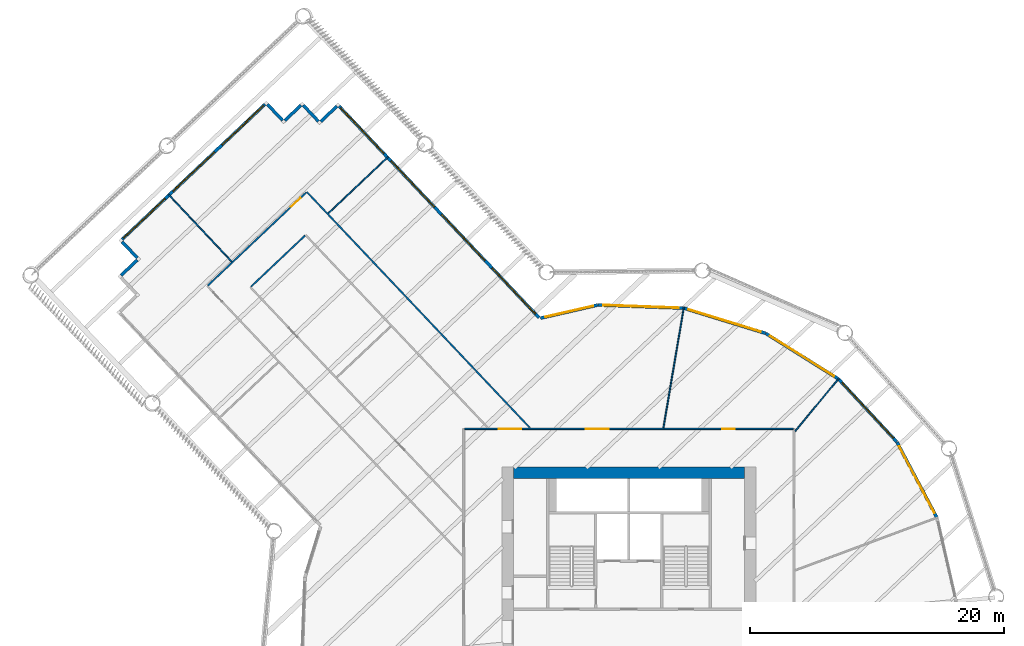
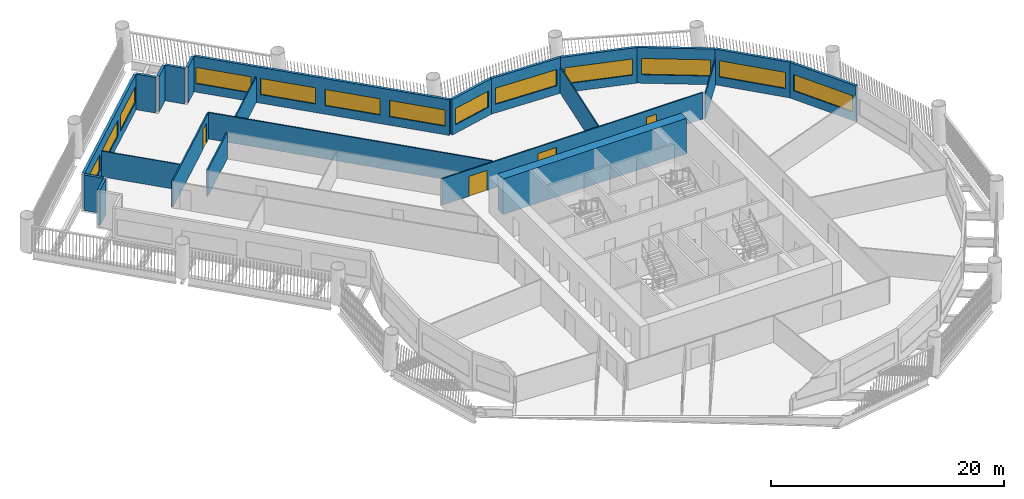
# One storey, part 7 of 15: 23 walls, 13 windows, 4 doors, 17 openings.
"""IFC4 building model written with IfcOpenShell, lengths in metres."""

from ifc_helpers import new_model, si_unit, direction, frame, frame_2d, origin, place, context, subcontext, project, spatial, rectangle, extrude, material, layer, layer_set, type_object, element, fill, save


model = new_model("IFC4")

# Units and contexts
model_context = context("Model", 3, precision=1e-05, world=origin(), true_north=direction((0.0, 1.0)))
body_context = subcontext(model_context, "Body", "Model", "MODEL_VIEW")
ifc_project = project(units=[si_unit("LENGTHUNIT", "METRE"), si_unit("AREAUNIT", "SQUARE_METRE"), si_unit("VOLUMEUNIT", "CUBIC_METRE"), si_unit("PLANEANGLEUNIT", "RADIAN"), si_unit("MASSUNIT", "GRAM", prefix="KILO")], contexts=[model_context])

# Site, building, storey
site_placement = place(None, origin())
site = spatial("IfcSite", under=ifc_project, at=site_placement, CompositionType="ELEMENT")
building_placement = place(site_placement, origin())
building = spatial("IfcBuilding", under=site, at=building_placement, Name="Tarsis Ring Headquarters", CompositionType="ELEMENT")
storey_placement = place(building_placement, frame((0.0, 0.0, 67.300048828125)))
storey = spatial("IfcBuildingStorey", under=building, at=storey_placement, Name="L14", CompositionType="ELEMENT", Elevation=67.300048828125)

# Walls
ifc_material_1 = material(Name="Concrete C60/75", Category="concrete")
ifc_layer_1 = layer(ifc_material_1, 0.89990234375)
ifc_layer_set_1 = layer_set([ifc_layer_1], Name="Core wall 900 C60/75")
wall_type_1 = type_object("IfcWallType", Name="Core wall 900 C60/75", PredefinedType="SHEAR", material=ifc_layer_set_1)
wall_1_placement = place(storey_placement, frame((-9.10009765625, 12.550048828125, 0.0), z_axis=(0.0, 0.0, 1.0), x_axis=(1.0, 0.0, 0.0)))
element("IfcWall", 1, at=wall_1_placement, inside=storey, type_object=wall_type_1, Name="Core wall ON", PredefinedType="SHEAR", context=body_context, shape_type="SweptSolid", body=[
    extrude(rectangle(XDim=18.2001953125, YDim=0.89990234375, at=frame_2d((9.10009765625, 0.0))), origin(), (0.0, 0.0, 1.0), 3.739990234375),
])
ifc_material_2 = material(Name="Gypsum board on steel studs", Category="steel")
ifc_layer_2 = layer(ifc_material_2, 0.10009765625)
ifc_layer_set_2 = layer_set([ifc_layer_2], Name="FL partition 100 unrated")
wall_type_2 = type_object("IfcWallType", Name="FL partition 100 unrated", PredefinedType="PARTITIONING", material=ifc_layer_set_2)
wall_2_placement = place(storey_placement, frame((2.718017578125, 16.069091796875, 0.0), z_axis=(0.0, 0.0, 1.0), x_axis=(0.166765603112, 0.985996568766, 0.0)))
element("IfcWall", 2, at=wall_2_placement, inside=storey, type_object=wall_type_2, Name="Partition PW3", PredefinedType="PARTITIONING", context=body_context, shape_type="SweptSolid", body=[
    extrude(rectangle(XDim=9.650634765625, YDim=0.10009765625, at=frame_2d((4.8251953125, 0.0))), origin(), (0.0, 0.0, 1.0), 2.699951171875),
])
wall_3_placement = place(storey_placement, frame((-36.260009765625, 34.4580078125, 0.0), z_axis=(0.0, 0.0, 1.0), x_axis=(0.687078345416, -0.726583338139, 0.0)))
element("IfcWall", 3, at=wall_3_placement, inside=storey, type_object=wall_type_2, Name="Partition PW3", PredefinedType="PARTITIONING", context=body_context, shape_type="SweptSolid", body=[
    extrude(rectangle(XDim=7.280029296875, YDim=0.10009765625, at=frame_2d((3.64013671875, 0.0))), origin(), (0.0, 0.0, 1.0), 2.699951171875),
])
wall_4_placement = place(storey_placement, frame((-23.66064453125, 32.967041015625, 0.0), z_axis=(0.0, 0.0, 1.0), x_axis=(0.726562311221, 0.687100580638, 0.0)))
element("IfcWall", 4, at=wall_4_placement, inside=storey, type_object=wall_type_2, Name="Partition PW3", PredefinedType="PARTITIONING", context=body_context, shape_type="SweptSolid", body=[
    extrude(rectangle(XDim=6.489990234375, YDim=0.10009765625, at=frame_2d((3.2451171875, 0.0))), origin(), (0.0, 0.0, 1.0), 2.699951171875),
])
wall_5_placement = place(storey_placement, frame((13.089111328125, 15.822265625, 0.0), z_axis=(0.0, 0.0, 1.0), x_axis=(0.637447714663, 0.770493615205, 0.0)))
element("IfcWall", 5, at=wall_5_placement, inside=storey, type_object=wall_type_2, Name="Partition PW3", PredefinedType="PARTITIONING", context=body_context, shape_type="SweptSolid", body=[
    extrude(rectangle(XDim=5.413330078125, YDim=0.10009765625, at=frame_2d((2.70654296875, 0.0))), origin(), (0.0, 0.0, 1.0), 2.699951171875),
])

# Wall, openings, doors
ifc_layer_3 = layer(ifc_material_2, 0.125)
ifc_layer_set_3 = layer_set([ifc_layer_3], Name="FL partition 125 EI 60 H2770")
wall_type_3 = type_object("IfcWallType", Name="FL partition 125 EI 60 H2770", PredefinedType="PARTITIONING", material=ifc_layer_set_3)
wall_6_placement = place(storey_placement, frame((-12.93994140625, 16.0, 0.0), z_axis=(0.0, 0.0, 1.0), x_axis=(1.0, 0.0, 0.0)))
wall_6 = element("IfcWall", 6, at=wall_6_placement, inside=storey, type_object=wall_type_3, Name="Partition PW1", PredefinedType="PARTITIONING", context=body_context, shape_type="SweptSolid", body=[
    extrude(rectangle(XDim=25.8798828125, YDim=0.125, at=frame_2d((12.93994140625, 0.0))), origin(), (0.0, 0.0, 1.0), 2.77001953125),
])
opening_1_placement = place(wall_6_placement, frame((9.537109375, 0.0, 0.0)))
opening_1 = element("IfcOpeningElement", 7, at=opening_1_placement, cuts=wall_6, Name="Opening D14.03", PredefinedType="OPENING", context=body_context, shape_type="SweptSolid", body=[
    extrude(rectangle(XDim=1.800048828125, YDim=2.10009765625, at=frame_2d((0.89990234375, 1.050048828125))), frame((0.0, 0.072509765625, 0.0), z_axis=(0.0, -1.0, 0.0), x_axis=(1.0, 0.0, 0.0)), (0.0, 0.0, 1.0), 0.14501953125),
])
opening_2_placement = place(wall_6_placement, frame((20.293212890625, 0.0, 0.0)))
opening_2 = element("IfcOpeningElement", 8, at=opening_2_placement, cuts=wall_6, Name="Opening D14.04", PredefinedType="OPENING", context=body_context, shape_type="SweptSolid", body=[
    extrude(rectangle(XDim=1.0, YDim=2.10009765625, at=frame_2d((0.5, 1.050048828125))), frame((0.0, 0.072509765625, 0.0), z_axis=(0.0, -1.0, 0.0), x_axis=(1.0, 0.0, 0.0)), (0.0, 0.0, 1.0), 0.14501953125),
])
opening_3_placement = place(wall_6_placement, frame((2.67626953125, 0.0, 0.0)))
opening_3 = element("IfcOpeningElement", 9, at=opening_3_placement, cuts=wall_6, Name="Opening D14.22", PredefinedType="OPENING", context=body_context, shape_type="SweptSolid", body=[
    extrude(rectangle(XDim=1.800048828125, YDim=2.10009765625, at=frame_2d((0.89990234375, 1.050048828125))), frame((0.0, 0.072509765625, 0.0), z_axis=(0.0, -1.0, 0.0), x_axis=(1.0, 0.0, 0.0)), (0.0, 0.0, 1.0), 0.14501953125),
])
ifc_material_3 = material(Name="Fire-rated timber door leaf in steel frame", Category="steel")
door_type_1 = type_object("IfcDoorType", Name="FL door FD60-1000", OperationType="NOTDEFINED", PredefinedType="DOOR", material=ifc_material_3)
door_1_placement = place(opening_2_placement, origin())
door_1 = element("IfcDoor", 10, at=door_1_placement, inside=storey, type_object=door_type_1, Name="Door D14.04", OperationType="SINGLE_SWING_RIGHT", OverallHeight=2.10009765625, OverallWidth=1.0, PredefinedType="DOOR", context=body_context, shape_type="SweptSolid", body=[
    extrude(rectangle(XDim=1.0, YDim=2.10009765625, at=frame_2d((0.5, 1.050048828125))), frame((0.0, 0.02490234375, 0.0), z_axis=(0.0, -1.0, 0.0), x_axis=(1.0, 0.0, 0.0)), (0.0, 0.0, 1.0), 0.050048828125),
])
fill(opening_2, door_1)
door_type_2 = type_object("IfcDoorType", Name="FL door FD60-1800", OperationType="DOUBLE_DOOR_SINGLE_SWING", PredefinedType="DOOR", material=ifc_material_3)
door_2_placement = place(opening_1_placement, origin())
door_2 = element("IfcDoor", 11, at=door_2_placement, inside=storey, type_object=door_type_2, Name="Door D14.03", OperationType="DOUBLE_DOOR_SINGLE_SWING", OverallHeight=2.10009765625, OverallWidth=1.800048828125, PredefinedType="DOOR", context=body_context, shape_type="SweptSolid", body=[
    extrude(rectangle(XDim=1.800048828125, YDim=2.10009765625, at=frame_2d((0.89990234375, 1.050048828125))), frame((0.0, 0.02490234375, 0.0), z_axis=(0.0, -1.0, 0.0), x_axis=(1.0, 0.0, 0.0)), (0.0, 0.0, 1.0), 0.050048828125),
])
fill(opening_1, door_2)
door_3_placement = place(opening_3_placement, origin())
door_3 = element("IfcDoor", 12, at=door_3_placement, inside=storey, type_object=door_type_2, Name="Door D14.22", OperationType="DOUBLE_DOOR_SINGLE_SWING", OverallHeight=2.10009765625, OverallWidth=1.800048828125, PredefinedType="DOOR", context=body_context, shape_type="SweptSolid", body=[
    extrude(rectangle(XDim=1.800048828125, YDim=2.10009765625, at=frame_2d((0.89990234375, 1.050048828125))), frame((0.0, 0.02490234375, 0.0), z_axis=(0.0, -1.0, 0.0), x_axis=(1.0, 0.0, 0.0)), (0.0, 0.0, 1.0), 0.050048828125),
])
fill(opening_3, door_3)

# Wall
wall_7_placement = place(storey_placement, frame((-25.353759765625, 34.655517578125, 0.0), z_axis=(0.0, 0.0, 1.0), x_axis=(0.687086429638, -0.726575693377, 0.0)))
element("IfcWall", 13, at=wall_7_placement, inside=storey, type_object=wall_type_3, Name="Partition PW1", PredefinedType="PARTITIONING", context=body_context, shape_type="SweptSolid", body=[
    extrude(rectangle(XDim=25.5458984375, YDim=0.125, at=frame_2d((12.77294921875, 0.0))), origin(), (0.0, 0.0, 1.0), 2.77001953125),
])

# Wall, opening, door
wall_8_placement = place(storey_placement, frame((-33.142578125, 27.289794921875, 0.0), z_axis=(0.0, 0.0, 1.0), x_axis=(0.726572854684, 0.687089431469, 0.0)))
wall_8 = element("IfcWall", 14, at=wall_8_placement, inside=storey, type_object=wall_type_3, Name="Partition PW1", PredefinedType="PARTITIONING", context=body_context, shape_type="SweptSolid", body=[
    extrude(rectangle(XDim=10.66015625, YDim=0.125, at=frame_2d((5.330078125, 0.0))), origin(), (0.0, 0.0, 1.0), 2.77001953125),
])
opening_4_placement = place(wall_8_placement, frame((9.02001953125, 0.0, 0.0)))
opening_4 = element("IfcOpeningElement", 15, at=opening_4_placement, cuts=wall_8, Name="Opening D14.02", PredefinedType="OPENING", context=body_context, shape_type="SweptSolid", body=[
    extrude(rectangle(XDim=1.0, YDim=2.10009765625, at=frame_2d((0.5, 1.050048828125))), frame((0.0, 0.072509765625, 0.0), z_axis=(0.0, -1.0, 0.0), x_axis=(1.0, 0.0, 0.0)), (0.0, 0.0, 1.0), 0.14501953125),
])
door_4_placement = place(opening_4_placement, origin())
door_4 = element("IfcDoor", 16, at=door_4_placement, inside=storey, type_object=door_type_1, Name="Door D14.02", OperationType="SINGLE_SWING_RIGHT", OverallHeight=2.10009765625, OverallWidth=1.0, PredefinedType="DOOR", context=body_context, shape_type="SweptSolid", body=[
    extrude(rectangle(XDim=1.0, YDim=2.10009765625, at=frame_2d((0.5, 1.050048828125))), frame((0.0, 0.02490234375, 0.0), z_axis=(0.0, -1.0, 0.0), x_axis=(1.0, 0.0, 0.0)), (0.0, 0.0, 1.0), 0.050048828125),
])
fill(opening_4, door_4)

# Wall
wall_9_placement = place(storey_placement, frame((-29.749755859375, 27.195068359375, 0.0), z_axis=(0.0, 0.0, 1.0), x_axis=(0.726558915787, 0.687104171062, 0.0)))
element("IfcWall", 17, at=wall_9_placement, inside=storey, type_object=wall_type_3, Name="Partition PW1", PredefinedType="PARTITIONING", context=body_context, shape_type="SweptSolid", body=[
    extrude(rectangle(XDim=5.85986328125, YDim=0.125, at=frame_2d((2.929931640625, 0.0))), origin(), (0.0, 0.0, 1.0), 2.77001953125),
])

# Wall, opening, window
ifc_material_4 = material(Name="Terracotta clad insulated panel wall", Category="masonry")
ifc_layer_4 = layer(ifc_material_4, 0.25)
ifc_layer_set_4 = layer_set([ifc_layer_4], Name="Facade wall terracotta panel 250")
wall_type_4 = type_object("IfcWallType", Name="Facade wall terracotta panel 250", PredefinedType="STANDARD", material=ifc_layer_set_4)
wall_10_placement = place(storey_placement, frame((24.243408203125, 9.033447265625, 0.0), z_axis=(0.0, 0.0, 1.0), x_axis=(-0.467941123269, 0.883759642184, 0.0)))
wall_10 = element("IfcWall", 18, at=wall_10_placement, inside=storey, type_object=wall_type_4, Name="External wall L14-25", PredefinedType="STANDARD", context=body_context, shape_type="SweptSolid", body=[
    extrude(rectangle(XDim=6.721435546875, YDim=0.25, at=frame_2d((3.36083984375, 0.0))), origin(), (0.0, 0.0, 1.0), 3.739990234375),
])
opening_5_placement = place(wall_10_placement, frame((0.3857421875, 0.0, 0.89990234375)))
opening_5 = element("IfcOpeningElement", 19, at=opening_5_placement, cuts=wall_10, Name="Opening WN07", PredefinedType="OPENING", context=body_context, shape_type="SweptSolid", body=[
    extrude(rectangle(XDim=5.949951171875, YDim=1.699951171875, at=frame_2d((2.97509765625, 0.85009765625))), frame((0.0, 0.135009765625, 0.0), z_axis=(0.0, -1.0, 0.0), x_axis=(1.0, 0.0, 0.0)), (0.0, 0.0, 1.0), 0.27001953125),
])
ifc_material_5 = material(Name="Aluminium framed double glazing", Category="aluminium")
window_type_1 = type_object("IfcWindowType", Name="Facade window 5950 x 1700", PartitioningType="SINGLE_PANEL", PredefinedType="WINDOW", material=ifc_material_5)
window_1_placement = place(opening_5_placement, origin())
window_1 = element("IfcWindow", 20, at=window_1_placement, inside=storey, type_object=window_type_1, Name="Window L14-25.1", OverallHeight=1.699951171875, OverallWidth=5.949951171875, PartitioningType="SINGLE_PANEL", PredefinedType="WINDOW", context=body_context, shape_type="SweptSolid", body=[
    extrude(rectangle(XDim=5.949951171875, YDim=1.699951171875, at=frame_2d((2.97509765625, 0.85009765625))), frame((0.0, 0.030029296875, 0.0), z_axis=(0.0, -1.0, 0.0), x_axis=(1.0, 0.0, 0.0)), (0.0, 0.0, 1.0), 0.06005859375),
])
fill(opening_5, window_1)

wall_11_placement = place(storey_placement, frame((21.079345703125, 15.000244140625, 0.0), z_axis=(0.0, 0.0, 1.0), x_axis=(-0.680715759773, 0.732547646503, 0.0)))
wall_11 = element("IfcWall", 21, at=wall_11_placement, inside=storey, type_object=wall_type_4, Name="External wall L14-26", PredefinedType="STANDARD", context=body_context, shape_type="SweptSolid", body=[
    extrude(rectangle(XDim=6.721435546875, YDim=0.25, at=frame_2d((3.36083984375, 0.0))), origin(), (0.0, 0.0, 1.0), 3.739990234375),
])
opening_6_placement = place(wall_11_placement, frame((0.3857421875, 0.0, 0.89990234375)))
opening_6 = element("IfcOpeningElement", 22, at=opening_6_placement, cuts=wall_11, Name="Opening WN07", PredefinedType="OPENING", context=body_context, shape_type="SweptSolid", body=[
    extrude(rectangle(XDim=5.949951171875, YDim=1.699951171875, at=frame_2d((2.97509765625, 0.85009765625))), frame((0.0, 0.135009765625, 0.0), z_axis=(0.0, -1.0, 0.0), x_axis=(1.0, 0.0, 0.0)), (0.0, 0.0, 1.0), 0.27001953125),
])
window_2_placement = place(opening_6_placement, origin())
window_2 = element("IfcWindow", 23, at=window_2_placement, inside=storey, type_object=window_type_1, Name="Window L14-26.1", OverallHeight=1.699951171875, OverallWidth=5.949951171875, PartitioningType="SINGLE_PANEL", PredefinedType="WINDOW", context=body_context, shape_type="SweptSolid", body=[
    extrude(rectangle(XDim=5.949951171875, YDim=1.699951171875, at=frame_2d((2.97509765625, 0.85009765625))), frame((0.0, 0.030029296875, 0.0), z_axis=(0.0, -1.0, 0.0), x_axis=(1.0, 0.0, 0.0)), (0.0, 0.0, 1.0), 0.06005859375),
])
fill(opening_6, window_2)

wall_12_placement = place(storey_placement, frame((16.478759765625, 19.94482421875, 0.0), z_axis=(0.0, 0.0, 1.0), x_axis=(-0.847113587888, 0.531411864014, 0.0)))
wall_12 = element("IfcWall", 24, at=wall_12_placement, inside=storey, type_object=wall_type_4, Name="External wall L14-27", PredefinedType="STANDARD", context=body_context, shape_type="SweptSolid", body=[
    extrude(rectangle(XDim=6.7216796875, YDim=0.25, at=frame_2d((3.36083984375, 0.0))), origin(), (0.0, 0.0, 1.0), 3.739990234375),
])
opening_7_placement = place(wall_12_placement, frame((0.3857421875, 0.0, 0.89990234375)))
opening_7 = element("IfcOpeningElement", 25, at=opening_7_placement, cuts=wall_12, Name="Opening WN07", PredefinedType="OPENING", context=body_context, shape_type="SweptSolid", body=[
    extrude(rectangle(XDim=5.949951171875, YDim=1.699951171875, at=frame_2d((2.97509765625, 0.85009765625))), frame((0.0, 0.135009765625, 0.0), z_axis=(0.0, -1.0, 0.0), x_axis=(1.0, 0.0, 0.0)), (0.0, 0.0, 1.0), 0.27001953125),
])
window_3_placement = place(opening_7_placement, origin())
window_3 = element("IfcWindow", 26, at=window_3_placement, inside=storey, type_object=window_type_1, Name="Window L14-27.1", OverallHeight=1.699951171875, OverallWidth=5.949951171875, PartitioningType="SINGLE_PANEL", PredefinedType="WINDOW", context=body_context, shape_type="SweptSolid", body=[
    extrude(rectangle(XDim=5.949951171875, YDim=1.699951171875, at=frame_2d((2.97509765625, 0.85009765625))), frame((0.0, 0.030029296875, 0.0), z_axis=(0.0, -1.0, 0.0), x_axis=(1.0, 0.0, 0.0)), (0.0, 0.0, 1.0), 0.06005859375),
])
fill(opening_7, window_3)

wall_13_placement = place(storey_placement, frame((10.755126953125, 23.5302734375, 0.0), z_axis=(0.0, 0.0, 1.0), x_axis=(-0.955785291282, 0.294065429742, 0.0)))
wall_13 = element("IfcWall", 27, at=wall_13_placement, inside=storey, type_object=wall_type_4, Name="External wall L14-28", PredefinedType="STANDARD", context=body_context, shape_type="SweptSolid", body=[
    extrude(rectangle(XDim=6.721435546875, YDim=0.25, at=frame_2d((3.36083984375, 0.0))), origin(), (0.0, 0.0, 1.0), 3.739990234375),
])
opening_8_placement = place(wall_13_placement, frame((0.3857421875, 0.0, 0.89990234375)))
opening_8 = element("IfcOpeningElement", 28, at=opening_8_placement, cuts=wall_13, Name="Opening WN07", PredefinedType="OPENING", context=body_context, shape_type="SweptSolid", body=[
    extrude(rectangle(XDim=5.949951171875, YDim=1.699951171875, at=frame_2d((2.97509765625, 0.85009765625))), frame((0.0, 0.135009765625, 0.0), z_axis=(0.0, -1.0, 0.0), x_axis=(1.0, 0.0, 0.0)), (0.0, 0.0, 1.0), 0.27001953125),
])
window_4_placement = place(opening_8_placement, origin())
window_4 = element("IfcWindow", 29, at=window_4_placement, inside=storey, type_object=window_type_1, Name="Window L14-28.1", OverallHeight=1.699951171875, OverallWidth=5.949951171875, PartitioningType="SINGLE_PANEL", PredefinedType="WINDOW", context=body_context, shape_type="SweptSolid", body=[
    extrude(rectangle(XDim=5.949951171875, YDim=1.699951171875, at=frame_2d((2.97509765625, 0.85009765625))), frame((0.0, 0.030029296875, 0.0), z_axis=(0.0, -1.0, 0.0), x_axis=(1.0, 0.0, 0.0)), (0.0, 0.0, 1.0), 0.06005859375),
])
fill(opening_8, window_4)

wall_14_placement = place(storey_placement, frame((4.298583984375, 25.51220703125, 0.0), z_axis=(0.0, 0.0, 1.0), x_axis=(-0.999328202116, 0.036648935265, 0.0)))
wall_14 = element("IfcWall", 30, at=wall_14_placement, inside=storey, type_object=wall_type_4, Name="External wall L14-29", PredefinedType="STANDARD", context=body_context, shape_type="SweptSolid", body=[
    extrude(rectangle(XDim=6.721435546875, YDim=0.25, at=frame_2d((3.36083984375, 0.0))), origin(), (0.0, 0.0, 1.0), 3.739990234375),
])
opening_9_placement = place(wall_14_placement, frame((0.3857421875, 0.0, 0.89990234375)))
opening_9 = element("IfcOpeningElement", 31, at=opening_9_placement, cuts=wall_14, Name="Opening WN07", PredefinedType="OPENING", context=body_context, shape_type="SweptSolid", body=[
    extrude(rectangle(XDim=5.949951171875, YDim=1.699951171875, at=frame_2d((2.97509765625, 0.85009765625))), frame((0.0, 0.135009765625, 0.0), z_axis=(0.0, -1.0, 0.0), x_axis=(1.0, 0.0, 0.0)), (0.0, 0.0, 1.0), 0.27001953125),
])
window_5_placement = place(opening_9_placement, origin())
window_5 = element("IfcWindow", 32, at=window_5_placement, inside=storey, type_object=window_type_1, Name="Window L14-29.1", OverallHeight=1.699951171875, OverallWidth=5.949951171875, PartitioningType="SINGLE_PANEL", PredefinedType="WINDOW", context=body_context, shape_type="SweptSolid", body=[
    extrude(rectangle(XDim=5.949951171875, YDim=1.699951171875, at=frame_2d((2.97509765625, 0.85009765625))), frame((0.0, 0.030029296875, 0.0), z_axis=(0.0, -1.0, 0.0), x_axis=(1.0, 0.0, 0.0)), (0.0, 0.0, 1.0), 0.06005859375),
])
fill(opening_9, window_5)

wall_15_placement = place(storey_placement, frame((-2.450927734375, 25.75537109375, 0.0), z_axis=(0.0, 0.0, 1.0), x_axis=(-0.974768519105, -0.223218131348, 0.0)))
wall_15 = element("IfcWall", 33, at=wall_15_placement, inside=storey, type_object=wall_type_4, Name="External wall L14-30", PredefinedType="STANDARD", context=body_context, shape_type="SweptSolid", body=[
    extrude(rectangle(XDim=4.61767578125, YDim=0.25, at=frame_2d((2.308837890625, 0.0))), origin(), (0.0, 0.0, 1.0), 3.739990234375),
])
opening_10_placement = place(wall_15_placement, frame((0.367431640625, 0.0, 0.89990234375)))
opening_10 = element("IfcOpeningElement", 34, at=opening_10_placement, cuts=wall_15, Name="Opening WN02", PredefinedType="OPENING", context=body_context, shape_type="SweptSolid", body=[
    extrude(rectangle(XDim=3.85009765625, YDim=1.699951171875, at=frame_2d((1.925048828125, 0.85009765625))), frame((0.0, 0.135009765625, 0.0), z_axis=(0.0, -1.0, 0.0), x_axis=(1.0, 0.0, 0.0)), (0.0, 0.0, 1.0), 0.27001953125),
])
window_type_2 = type_object("IfcWindowType", Name="Facade window 3850 x 1700", PartitioningType="SINGLE_PANEL", PredefinedType="WINDOW", material=ifc_material_5)
window_6_placement = place(opening_10_placement, origin())
window_6 = element("IfcWindow", 35, at=window_6_placement, inside=storey, type_object=window_type_2, Name="Window L14-30.1", OverallHeight=1.699951171875, OverallWidth=3.85009765625, PartitioningType="SINGLE_PANEL", PredefinedType="WINDOW", context=body_context, shape_type="SweptSolid", body=[
    extrude(rectangle(XDim=3.85009765625, YDim=1.699951171875, at=frame_2d((1.925048828125, 0.85009765625))), frame((0.0, 0.030029296875, 0.0), z_axis=(0.0, -1.0, 0.0), x_axis=(1.0, 0.0, 0.0)), (0.0, 0.0, 1.0), 0.06005859375),
])
fill(opening_10, window_6)

# Wall, openings, windows
wall_16_placement = place(storey_placement, frame((-7.071044921875, 24.760498046875, 0.0), z_axis=(0.0, 0.0, 1.0), x_axis=(-0.687087625595, 0.726574562419, 0.0)))
wall_16 = element("IfcWall", 36, at=wall_16_placement, inside=storey, type_object=wall_type_4, Name="External wall L14-31", PredefinedType="STANDARD", context=body_context, shape_type="SweptSolid", body=[
    extrude(rectangle(XDim=22.901123046875, YDim=0.25, at=frame_2d((11.45068359375, 0.0))), origin(), (0.0, 0.0, 1.0), 3.739990234375),
])
opening_11_placement = place(wall_16_placement, frame((0.4189453125, 0.0, 0.89990234375)))
opening_11 = element("IfcOpeningElement", 37, at=opening_11_placement, cuts=wall_16, Name="Opening WN05", PredefinedType="OPENING", context=body_context, shape_type="SweptSolid", body=[
    extrude(rectangle(XDim=4.949951171875, YDim=1.699951171875, at=frame_2d((2.47509765625, 0.85009765625))), frame((0.0, 0.135009765625, 0.0), z_axis=(0.0, -1.0, 0.0), x_axis=(1.0, 0.0, 0.0)), (0.0, 0.0, 1.0), 0.27001953125),
])
opening_12_placement = place(wall_16_placement, frame((6.206787109375, 0.0, 0.89990234375)))
opening_12 = element("IfcOpeningElement", 38, at=opening_12_placement, cuts=wall_16, Name="Opening WN05", PredefinedType="OPENING", context=body_context, shape_type="SweptSolid", body=[
    extrude(rectangle(XDim=4.949951171875, YDim=1.699951171875, at=frame_2d((2.47509765625, 0.85009765625))), frame((0.0, 0.135009765625, 0.0), z_axis=(0.0, -1.0, 0.0), x_axis=(1.0, 0.0, 0.0)), (0.0, 0.0, 1.0), 0.27001953125),
])
opening_13_placement = place(wall_16_placement, frame((11.99462890625, 0.0, 0.89990234375)))
opening_13 = element("IfcOpeningElement", 39, at=opening_13_placement, cuts=wall_16, Name="Opening WN05", PredefinedType="OPENING", context=body_context, shape_type="SweptSolid", body=[
    extrude(rectangle(XDim=4.949951171875, YDim=1.699951171875, at=frame_2d((2.47509765625, 0.85009765625))), frame((0.0, 0.135009765625, 0.0), z_axis=(0.0, -1.0, 0.0), x_axis=(1.0, 0.0, 0.0)), (0.0, 0.0, 1.0), 0.27001953125),
])
opening_14_placement = place(wall_16_placement, frame((17.782470703125, 0.0, 0.89990234375)))
opening_14 = element("IfcOpeningElement", 40, at=opening_14_placement, cuts=wall_16, Name="Opening WN05", PredefinedType="OPENING", context=body_context, shape_type="SweptSolid", body=[
    extrude(rectangle(XDim=4.949951171875, YDim=1.699951171875, at=frame_2d((2.47509765625, 0.85009765625))), frame((0.0, 0.135009765625, 0.0), z_axis=(0.0, -1.0, 0.0), x_axis=(1.0, 0.0, 0.0)), (0.0, 0.0, 1.0), 0.27001953125),
])
window_type_3 = type_object("IfcWindowType", Name="Facade window 4950 x 1700", PartitioningType="SINGLE_PANEL", PredefinedType="WINDOW", material=ifc_material_5)
window_7_placement = place(opening_11_placement, origin())
window_7 = element("IfcWindow", 41, at=window_7_placement, inside=storey, type_object=window_type_3, Name="Window L14-31.1", OverallHeight=1.699951171875, OverallWidth=4.949951171875, PartitioningType="SINGLE_PANEL", PredefinedType="WINDOW", context=body_context, shape_type="SweptSolid", body=[
    extrude(rectangle(XDim=4.949951171875, YDim=1.699951171875, at=frame_2d((2.47509765625, 0.85009765625))), frame((0.0, 0.030029296875, 0.0), z_axis=(0.0, -1.0, 0.0), x_axis=(1.0, 0.0, 0.0)), (0.0, 0.0, 1.0), 0.06005859375),
])
fill(opening_11, window_7)
window_8_placement = place(opening_12_placement, origin())
window_8 = element("IfcWindow", 42, at=window_8_placement, inside=storey, type_object=window_type_3, Name="Window L14-31.2", OverallHeight=1.699951171875, OverallWidth=4.949951171875, PartitioningType="SINGLE_PANEL", PredefinedType="WINDOW", context=body_context, shape_type="SweptSolid", body=[
    extrude(rectangle(XDim=4.949951171875, YDim=1.699951171875, at=frame_2d((2.47509765625, 0.85009765625))), frame((0.0, 0.030029296875, 0.0), z_axis=(0.0, -1.0, 0.0), x_axis=(1.0, 0.0, 0.0)), (0.0, 0.0, 1.0), 0.06005859375),
])
fill(opening_12, window_8)
window_9_placement = place(opening_13_placement, origin())
window_9 = element("IfcWindow", 43, at=window_9_placement, inside=storey, type_object=window_type_3, Name="Window L14-31.3", OverallHeight=1.699951171875, OverallWidth=4.949951171875, PartitioningType="SINGLE_PANEL", PredefinedType="WINDOW", context=body_context, shape_type="SweptSolid", body=[
    extrude(rectangle(XDim=4.949951171875, YDim=1.699951171875, at=frame_2d((2.47509765625, 0.85009765625))), frame((0.0, 0.030029296875, 0.0), z_axis=(0.0, -1.0, 0.0), x_axis=(1.0, 0.0, 0.0)), (0.0, 0.0, 1.0), 0.06005859375),
])
fill(opening_13, window_9)
window_10_placement = place(opening_14_placement, origin())
window_10 = element("IfcWindow", 44, at=window_10_placement, inside=storey, type_object=window_type_3, Name="Window L14-31.4", OverallHeight=1.699951171875, OverallWidth=4.949951171875, PartitioningType="SINGLE_PANEL", PredefinedType="WINDOW", context=body_context, shape_type="SweptSolid", body=[
    extrude(rectangle(XDim=4.949951171875, YDim=1.699951171875, at=frame_2d((2.47509765625, 0.85009765625))), frame((0.0, 0.030029296875, 0.0), z_axis=(0.0, -1.0, 0.0), x_axis=(1.0, 0.0, 0.0)), (0.0, 0.0, 1.0), 0.06005859375),
])
fill(opening_14, window_10)

# Walls
for number, where, z_axis, x_axis, name in (
    (45, (-22.98291015625, 41.40478515625, 0.0), (0.0, 0.0, 1.0), (-0.726571939233, -0.687090399525, 0.0), "External wall L14-32"),
    (46, (-24.43115234375, 40.20751953125, 0.0), (0.0, 0.0, 1.0), (-0.687090399525, 0.726571939233, 0.0), "External wall L14-33"),
    (47, (-25.810302734375, 41.48388671875, 0.0), (0.0, 0.0, 1.0), (-0.726571939233, -0.687090399525, 0.0), "External wall L14-34"),
    (48, (-27.258544921875, 40.286376953125, 0.0), (0.0, 0.0, 1.0), (-0.687090399525, 0.726571939233, 0.0), "External wall L14-35"),
):
    element("IfcWall", number, at=place(storey_placement, frame(where, z_axis=z_axis, x_axis=x_axis)), inside=storey, type_object=wall_type_4, Name=name, PredefinedType="STANDARD", context=body_context, shape_type="SweptSolid", body=[
        extrude(rectangle(XDim=1.75, YDim=0.25, at=frame_2d((0.875, 0.0))), origin(), (0.0, 0.0, 1.0), 3.739990234375),
    ])

# Wall, openings, windows
wall_17_placement = place(storey_placement, frame((-28.637451171875, 41.562744140625, 0.0), z_axis=(0.0, 0.0, 1.0), x_axis=(-0.726582745109, -0.687078972542, 0.0)))
wall_17 = element("IfcWall", 49, at=wall_17_placement, inside=storey, type_object=wall_type_4, Name="External wall L14-36", PredefinedType="STANDARD", context=body_context, shape_type="SweptSolid", body=[
    extrude(rectangle(XDim=15.5, YDim=0.25, at=frame_2d((7.75, 0.0))), origin(), (0.0, 0.0, 1.0), 3.739990234375),
])
opening_15_placement = place(wall_17_placement, frame((0.166748046875, 0.0, 0.89990234375)))
opening_15 = element("IfcOpeningElement", 50, at=opening_15_placement, cuts=wall_17, Name="Opening WN04", PredefinedType="OPENING", context=body_context, shape_type="SweptSolid", body=[
    extrude(rectangle(XDim=4.5, YDim=1.699951171875, at=frame_2d((2.25, 0.85009765625))), frame((0.0, 0.135009765625, 0.0), z_axis=(0.0, -1.0, 0.0), x_axis=(1.0, 0.0, 0.0)), (0.0, 0.0, 1.0), 0.27001953125),
])
opening_16_placement = place(wall_17_placement, frame((5.5, 0.0, 0.89990234375)))
opening_16 = element("IfcOpeningElement", 51, at=opening_16_placement, cuts=wall_17, Name="Opening WN04", PredefinedType="OPENING", context=body_context, shape_type="SweptSolid", body=[
    extrude(rectangle(XDim=4.5, YDim=1.699951171875, at=frame_2d((2.25, 0.85009765625))), frame((0.0, 0.135009765625, 0.0), z_axis=(0.0, -1.0, 0.0), x_axis=(1.0, 0.0, 0.0)), (0.0, 0.0, 1.0), 0.27001953125),
])
opening_17_placement = place(wall_17_placement, frame((10.833251953125, 0.0, 0.89990234375)))
opening_17 = element("IfcOpeningElement", 52, at=opening_17_placement, cuts=wall_17, Name="Opening WN04", PredefinedType="OPENING", context=body_context, shape_type="SweptSolid", body=[
    extrude(rectangle(XDim=4.5, YDim=1.699951171875, at=frame_2d((2.25, 0.85009765625))), frame((0.0, 0.135009765625, 0.0), z_axis=(0.0, -1.0, 0.0), x_axis=(1.0, 0.0, 0.0)), (0.0, 0.0, 1.0), 0.27001953125),
])
window_type_4 = type_object("IfcWindowType", Name="Facade window 4500 x 1700", PartitioningType="SINGLE_PANEL", PredefinedType="WINDOW", material=ifc_material_5)
window_11_placement = place(opening_15_placement, origin())
window_11 = element("IfcWindow", 53, at=window_11_placement, inside=storey, type_object=window_type_4, Name="Window L14-36.1", OverallHeight=1.699951171875, OverallWidth=4.5, PartitioningType="SINGLE_PANEL", PredefinedType="WINDOW", context=body_context, shape_type="SweptSolid", body=[
    extrude(rectangle(XDim=4.5, YDim=1.699951171875, at=frame_2d((2.25, 0.85009765625))), frame((0.0, 0.030029296875, 0.0), z_axis=(0.0, -1.0, 0.0), x_axis=(1.0, 0.0, 0.0)), (0.0, 0.0, 1.0), 0.06005859375),
])
fill(opening_15, window_11)
window_12_placement = place(opening_16_placement, origin())
window_12 = element("IfcWindow", 54, at=window_12_placement, inside=storey, type_object=window_type_4, Name="Window L14-36.2", OverallHeight=1.699951171875, OverallWidth=4.5, PartitioningType="SINGLE_PANEL", PredefinedType="WINDOW", context=body_context, shape_type="SweptSolid", body=[
    extrude(rectangle(XDim=4.5, YDim=1.699951171875, at=frame_2d((2.25, 0.85009765625))), frame((0.0, 0.030029296875, 0.0), z_axis=(0.0, -1.0, 0.0), x_axis=(1.0, 0.0, 0.0)), (0.0, 0.0, 1.0), 0.06005859375),
])
fill(opening_16, window_12)
window_13_placement = place(opening_17_placement, origin())
window_13 = element("IfcWindow", 55, at=window_13_placement, inside=storey, type_object=window_type_4, Name="Window L14-36.3", OverallHeight=1.699951171875, OverallWidth=4.5, PartitioningType="SINGLE_PANEL", PredefinedType="WINDOW", context=body_context, shape_type="SweptSolid", body=[
    extrude(rectangle(XDim=4.5, YDim=1.699951171875, at=frame_2d((2.25, 0.85009765625))), frame((0.0, 0.030029296875, 0.0), z_axis=(0.0, -1.0, 0.0), x_axis=(1.0, 0.0, 0.0)), (0.0, 0.0, 1.0), 0.06005859375),
])
fill(opening_17, window_13)

# Walls
for number, where, z_axis, x_axis, name in (
    (56, (-39.904296875, 30.736328125, 0.0), (0.0, 0.0, 1.0), (0.687090399525, -0.726571939233, 0.0), "External wall L14-37"),
    (57, (-38.70703125, 29.2880859375, 0.0), (0.0, 0.0, 1.0), (-0.726571939233, -0.687090399525, 0.0), "External wall L14-38"),
):
    element("IfcWall", number, at=place(storey_placement, frame(where, z_axis=z_axis, x_axis=x_axis)), inside=storey, type_object=wall_type_4, Name=name, PredefinedType="STANDARD", context=body_context, shape_type="SweptSolid", body=[
        extrude(rectangle(XDim=1.75, YDim=0.25, at=frame_2d((0.875, 0.0))), origin(), (0.0, 0.0, 1.0), 3.739990234375),
    ])

save(model, "model.ifc")
